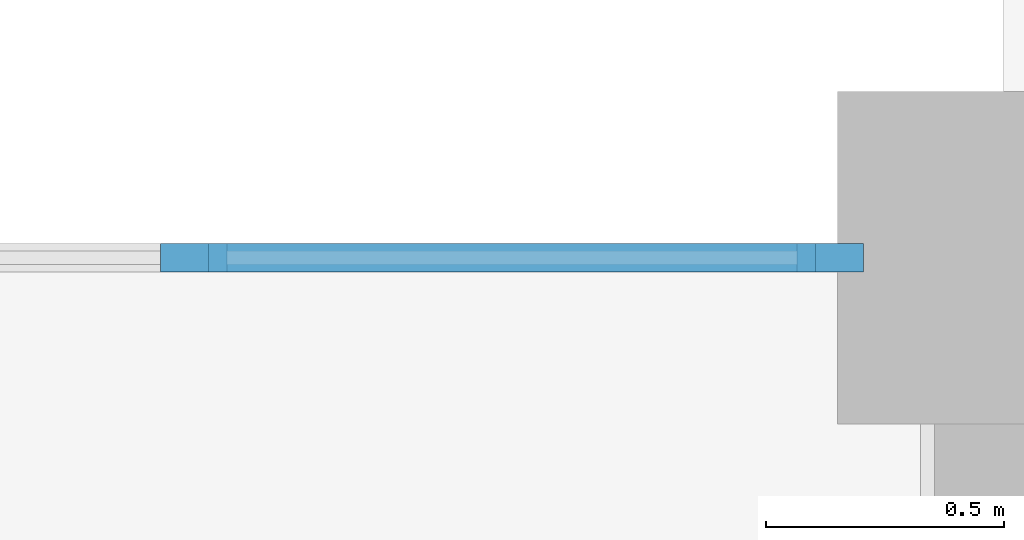
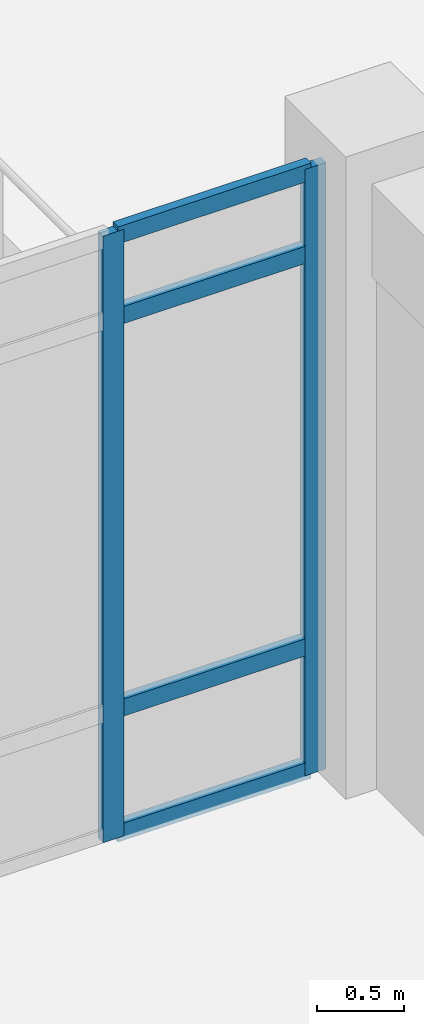
# One storey, part 26 of 54: 6 members, 1 element without a shape of its own.
"""IFC4 building model written with IfcOpenShell, lengths in metres."""

from ifc_helpers import new_model, si_unit, direction, frame, origin, origin_2d, place, context, subcontext, project, spatial, rectangle, extrude, material, layer, layer_set, material_profile, profile_set, type_object, element, aggregate, save


model = new_model("IFC4")

# Units and contexts
model_context = context("Model", 3, precision=1e-05, world=origin(), true_north=direction((0.0, 1.0)))
body_context = subcontext(model_context, "Body", "Model", "MODEL_VIEW")
ifc_project = project(units=[si_unit("LENGTHUNIT", "METRE"), si_unit("AREAUNIT", "SQUARE_METRE"), si_unit("VOLUMEUNIT", "CUBIC_METRE"), si_unit("PLANEANGLEUNIT", "RADIAN"), si_unit("MASSUNIT", "GRAM", prefix="KILO")], contexts=[model_context])

# Site, building, storey
site_placement = place(None, origin())
site = spatial("IfcSite", under=ifc_project, at=site_placement, CompositionType="ELEMENT")
building_placement = place(site_placement, origin())
building = spatial("IfcBuilding", under=site, at=building_placement, Name="Miralva Faculty of Natural Sciences", CompositionType="ELEMENT")
storey_placement = place(building_placement, frame((0.0, 0.0, 19.5)))
storey = spatial("IfcBuildingStorey", under=building, at=storey_placement, Name="L04", CompositionType="ELEMENT", Elevation=19.5)

# Curtain wall, members
ifc_material_1 = material(Name="Laminated solar-control glass", Category="glass")
ifc_layer = layer(ifc_material_1, 0.179931640625, Name="CW-COM-L01")
ifc_layer_set = layer_set([ifc_layer], Name="Laminated solar-control glass")
curtain_wall_type = type_object("IfcCurtainWallType", Name="CW-COM-L01", PredefinedType="USERDEFINED", material=ifc_layer_set)
curtain_wall_placement = place(storey_placement, origin())
curtain_wall = element("IfcCurtainWall", 1, at=curtain_wall_placement, inside=storey, type_object=curtain_wall_type, Name="Curtain wall CW-10 L04-311", ObjectType="UNITISED CURTAIN WALL", PredefinedType="USERDEFINED")
ifc_material_2 = material(Name="Anodised aluminium", Category="aluminium")
ifc_material_profile_1 = material_profile(ifc_material_2, rectangle(XDim=0.06005859375, YDim=0.139892578125, at=origin_2d()), Name="MULLION 60x140")
ifc_profile_set_1 = profile_set([ifc_material_profile_1], Name="Anodised aluminium")
member_type_1 = type_object("IfcMemberType", Name="CW-M03", PredefinedType="MULLION", material=ifc_profile_set_1)
member_1_placement = place(storey_placement, frame((132.095947265625, 27.0, 0.0), z_axis=(0.0, 0.0, 1.0), x_axis=(0.0, 1.0, 0.0)))
member_1 = element("IfcMember", 2, at=member_1_placement, type_object=member_type_1, Name="CW-10 mullion 5", PredefinedType="MULLION", context=body_context, shape_type="SweptSolid", body=[
    extrude(rectangle(XDim=0.06005859375, YDim=0.139892578125, at=origin_2d()), origin(), (0.0, 0.0, 1.0), 4.25),
])
member_2_placement = place(storey_placement, frame((133.43505859375, 27.0, 0.0), z_axis=(0.0, 0.0, 1.0), x_axis=(0.0, 1.0, 0.0)))
member_2 = element("IfcMember", 3, at=member_2_placement, type_object=member_type_1, Name="CW-10 mullion 6", PredefinedType="MULLION", context=body_context, shape_type="SweptSolid", body=[
    extrude(rectangle(XDim=0.06005859375, YDim=0.139892578125, at=origin_2d()), origin(), (0.0, 0.0, 1.0), 4.25),
])
ifc_material_profile_2 = material_profile(ifc_material_2, rectangle(XDim=0.06005859375, YDim=0.1201171875, at=origin_2d()), Name="TRANSOM 60x120")
ifc_profile_set_2 = profile_set([ifc_material_profile_2], Name="Anodised aluminium")
member_type_2 = type_object("IfcMemberType", Name="CW-T02", PredefinedType="USERDEFINED", material=ifc_profile_set_2)
member_3_placement = place(storey_placement, frame((132.1259765625, 27.0, 0.030029296875), z_axis=(1.0, 0.0, 0.0), x_axis=(0.0, 1.0, 0.0)))
member_3 = element("IfcMember", 4, at=member_3_placement, type_object=member_type_2, Name="CW-10 transom 5.1", ObjectType="TRANSOM", PredefinedType="USERDEFINED", context=body_context, shape_type="SweptSolid", body=[
    extrude(rectangle(XDim=0.06005859375, YDim=0.1201171875, at=origin_2d()), origin(), (0.0, 0.0, 1.0), 1.279052734375),
])
member_4_placement = place(storey_placement, frame((132.1259765625, 27.0, 0.89990234375), z_axis=(1.0, 0.0, 0.0), x_axis=(0.0, 1.0, 0.0)))
member_4 = element("IfcMember", 5, at=member_4_placement, type_object=member_type_2, Name="CW-10 transom 5.2", ObjectType="TRANSOM", PredefinedType="USERDEFINED", context=body_context, shape_type="SweptSolid", body=[
    extrude(rectangle(XDim=0.06005859375, YDim=0.1201171875, at=origin_2d()), origin(), (0.0, 0.0, 1.0), 1.279052734375),
])
member_5_placement = place(storey_placement, frame((132.1259765625, 27.0, 3.64990234375), z_axis=(1.0, 0.0, 0.0), x_axis=(0.0, 1.0, 0.0)))
member_5 = element("IfcMember", 6, at=member_5_placement, type_object=member_type_2, Name="CW-10 transom 5.3", ObjectType="TRANSOM", PredefinedType="USERDEFINED", context=body_context, shape_type="SweptSolid", body=[
    extrude(rectangle(XDim=0.06005859375, YDim=0.1201171875, at=origin_2d()), origin(), (0.0, 0.0, 1.0), 1.279052734375),
])
member_6_placement = place(storey_placement, frame((132.1259765625, 27.0, 4.219970703125), z_axis=(1.0, 0.0, 0.0), x_axis=(0.0, 1.0, 0.0)))
member_6 = element("IfcMember", 7, at=member_6_placement, type_object=member_type_2, Name="CW-10 transom 5.4", ObjectType="TRANSOM", PredefinedType="USERDEFINED", context=body_context, shape_type="SweptSolid", body=[
    extrude(rectangle(XDim=0.06005859375, YDim=0.1201171875, at=origin_2d()), origin(), (0.0, 0.0, 1.0), 1.279052734375),
])
aggregate(curtain_wall, [member_1, member_2, member_3, member_4, member_5, member_6])

save(model, "model.ifc")
